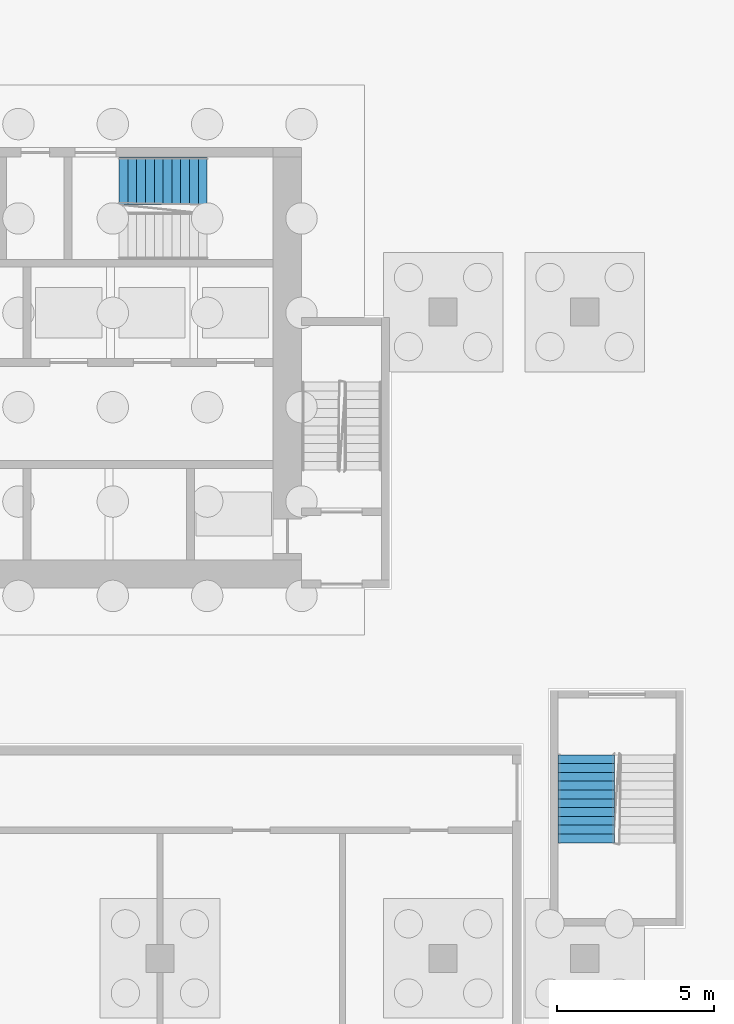
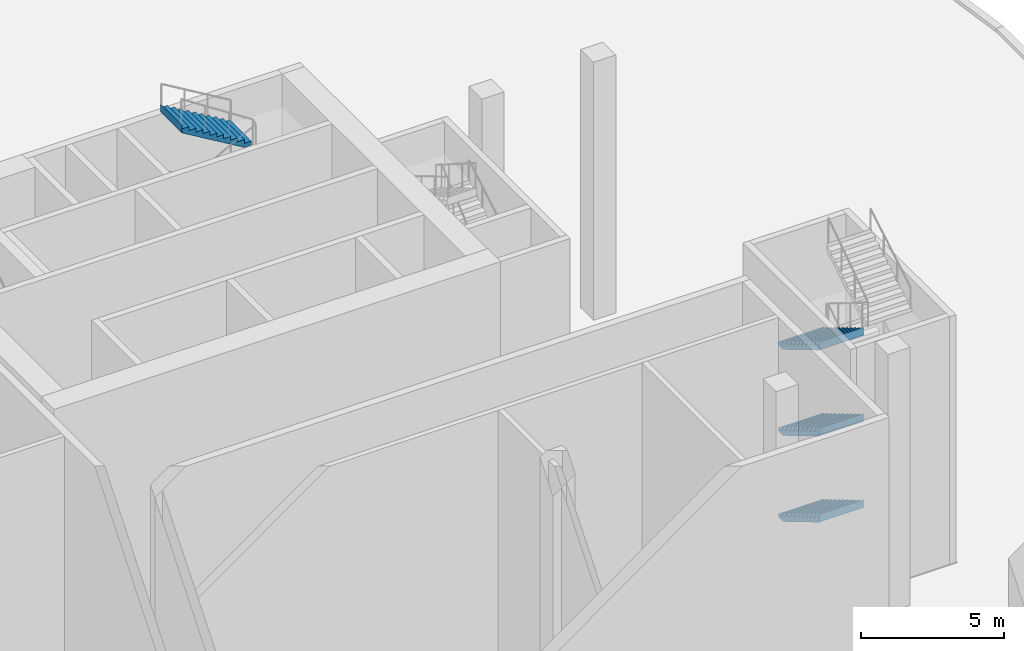
# One storey, part 20 of 26: 4 stair flights, 2 elements without a shape of their own.
"""IFC4 building model written with IfcOpenShell, lengths in metres."""

from ifc_helpers import new_model, si_unit, direction, frame, origin, place, context, subcontext, project, spatial, faceted_brep, material, type_object, element, aggregate, save


model = new_model("IFC4")

# Units and contexts
model_context = context("Model", 3, precision=1e-05, world=origin(), true_north=direction((0.0, 1.0)))
body_context = subcontext(model_context, "Body", "Model", "MODEL_VIEW")
ifc_project = project(units=[si_unit("LENGTHUNIT", "METRE"), si_unit("AREAUNIT", "SQUARE_METRE"), si_unit("VOLUMEUNIT", "CUBIC_METRE"), si_unit("PLANEANGLEUNIT", "RADIAN"), si_unit("MASSUNIT", "GRAM", prefix="KILO")], contexts=[model_context])

# Site, building, storey
site_placement = place(None, origin())
site = spatial("IfcSite", under=ifc_project, at=site_placement, CompositionType="ELEMENT")
building_placement = place(site_placement, origin())
building = spatial("IfcBuilding", under=site, at=building_placement, Name="Kajstack Hotel Tower", CompositionType="ELEMENT")
storey_placement = place(building_placement, origin())
storey = spatial("IfcBuildingStorey", under=building, at=storey_placement, Name="L00", CompositionType="ELEMENT", Elevation=0.0)

# Stair, stair flights
ifc_material = material(Name="Concrete C40/50", Category="concrete")
stair_type_1 = type_object("IfcStairType", Name="Escape stair 1800", PredefinedType="HALF_TURN_STAIR", material=ifc_material)
stair_1_placement = place(storey_placement, origin())
stair_1 = element("IfcStair", 1, at=stair_1_placement, inside=storey, type_object=stair_type_1, Name="L00 stair P2", PredefinedType="HALF_TURN_STAIR")
stair_flight_type_1 = type_object("IfcStairFlightType", Name="Escape stair flight 1800", PredefinedType="STRAIGHT", material=ifc_material)
stair_flight_1_placement = place(storey_placement, frame((40.550048828125, -3.800048828125, 0.0), z_axis=(0.0, 0.0, 1.0), x_axis=(0.0, -1.0, 0.0)))
stair_flight_1 = element("IfcStairFlight", 2, at=stair_flight_1_placement, type_object=stair_flight_type_1, Name="P2 flight 1", NumberOfRisers=11, NumberOfTreads=10, PredefinedType="STRAIGHT", RiserHeight=0.166666667, TreadLength=0.28, context=body_context, shape_type="Brep", body=[
    faceted_brep([(0.29345703125, -0.89990234375, 0.0), (2.800537109375, -0.89990234375, 1.4921875), (2.800537109375, -0.89990234375, 1.833251953125), (2.800048828125, -0.89990234375, 1.833251953125), (2.800048828125, -0.89990234375, 1.666748046875), (2.52001953125, -0.89990234375, 1.666748046875), (2.52001953125, -0.89990234375, 1.5), (2.239990234375, -0.89990234375, 1.5), (2.239990234375, -0.89990234375, 1.333251953125), (1.9599609375, -0.89990234375, 1.333251953125), (1.9599609375, -0.89990234375, 1.166748046875), (1.679931640625, -0.89990234375, 1.166748046875), (1.679931640625, -0.89990234375, 1.0), (1.39990234375, -0.89990234375, 1.0), (1.39990234375, -0.89990234375, 0.833251953125), (1.1201171875, -0.89990234375, 0.833251953125), (1.1201171875, -0.89990234375, 0.666748046875), (0.840087890625, -0.89990234375, 0.666748046875), (0.840087890625, -0.89990234375, 0.5), (0.56005859375, -0.89990234375, 0.5), (0.56005859375, -0.89990234375, 0.333251953125), (0.280029296875, -0.89990234375, 0.333251953125), (0.280029296875, -0.89990234375, 0.166748046875), (-0.00048828125, -0.89990234375, 0.166748046875), (-0.00048828125, -0.89990234375, 0.0), (-0.00048828125, 0.89990234375, 0.0), (-0.00048828125, 0.89990234375, 0.166748046875), (0.280029296875, 0.89990234375, 0.166748046875), (0.280029296875, 0.89990234375, 0.333251953125), (0.56005859375, 0.89990234375, 0.333251953125), (0.56005859375, 0.89990234375, 0.5), (0.840087890625, 0.89990234375, 0.5), (0.840087890625, 0.89990234375, 0.666748046875), (1.1201171875, 0.89990234375, 0.666748046875), (1.1201171875, 0.89990234375, 0.833251953125), (1.39990234375, 0.89990234375, 0.833251953125), (1.39990234375, 0.89990234375, 1.0), (1.679931640625, 0.89990234375, 1.0), (1.679931640625, 0.89990234375, 1.166748046875), (1.9599609375, 0.89990234375, 1.166748046875), (1.9599609375, 0.89990234375, 1.333251953125), (2.239990234375, 0.89990234375, 1.333251953125), (2.239990234375, 0.89990234375, 1.5), (2.52001953125, 0.89990234375, 1.5), (2.52001953125, 0.89990234375, 1.666748046875), (2.800048828125, 0.89990234375, 1.666748046875), (2.800048828125, 0.89990234375, 1.833251953125), (2.800537109375, 0.89990234375, 1.833251953125), (2.800537109375, 0.89990234375, 1.4921875), (0.29345703125, 0.89990234375, 0.0), (-0.00048828125, -0.449951171875, 0.166748046875), (-0.00048828125, 0.0, 0.166748046875), (-0.00048828125, 0.449951171875, 0.166748046875), (-0.00048828125, 0.449951171875, 0.0), (-0.00048828125, 0.0, 0.0), (-0.00048828125, -0.449951171875, 0.0), (0.280029296875, -0.449951171875, 0.166748046875), (0.280029296875, 0.0, 0.166748046875), (0.280029296875, 0.449951171875, 0.166748046875), (0.280029296875, -0.449951171875, 0.333251953125), (0.280029296875, 0.0, 0.333251953125), (0.280029296875, 0.449951171875, 0.333251953125), (0.56005859375, -0.449951171875, 0.333251953125), (0.56005859375, 0.0, 0.333251953125), (0.56005859375, 0.449951171875, 0.333251953125), (0.56005859375, -0.449951171875, 0.5), (0.56005859375, 0.0, 0.5), (0.56005859375, 0.449951171875, 0.5), (0.840087890625, -0.449951171875, 0.5), (0.840087890625, 0.0, 0.5), (0.840087890625, 0.449951171875, 0.5), (0.840087890625, -0.449951171875, 0.666748046875), (0.840087890625, 0.0, 0.666748046875), (0.840087890625, 0.449951171875, 0.666748046875), (1.1201171875, -0.449951171875, 0.666748046875), (1.1201171875, 0.0, 0.666748046875), (1.1201171875, 0.449951171875, 0.666748046875), (1.1201171875, -0.449951171875, 0.833251953125), (1.1201171875, 0.0, 0.833251953125), (1.1201171875, 0.449951171875, 0.833251953125), (1.39990234375, -0.449951171875, 0.833251953125), (1.39990234375, 0.0, 0.833251953125), (1.39990234375, 0.449951171875, 0.833251953125), (1.39990234375, -0.449951171875, 1.0), (1.39990234375, 0.0, 1.0), (1.39990234375, 0.449951171875, 1.0), (1.679931640625, -0.449951171875, 1.0), (1.679931640625, 0.0, 1.0), (1.679931640625, 0.449951171875, 1.0), (1.679931640625, -0.449951171875, 1.166748046875), (1.679931640625, 0.0, 1.166748046875), (1.679931640625, 0.449951171875, 1.166748046875), (1.9599609375, -0.449951171875, 1.166748046875), (1.9599609375, 0.0, 1.166748046875), (1.9599609375, 0.449951171875, 1.166748046875), (1.9599609375, -0.449951171875, 1.333251953125), (1.9599609375, 0.0, 1.333251953125), (1.9599609375, 0.449951171875, 1.333251953125), (2.239990234375, -0.449951171875, 1.333251953125), (2.239990234375, 0.0, 1.333251953125), (2.239990234375, 0.449951171875, 1.333251953125), (2.239990234375, -0.449951171875, 1.5), (2.239990234375, 0.0, 1.5), (2.239990234375, 0.449951171875, 1.5), (2.52001953125, -0.449951171875, 1.5), (2.52001953125, 0.0, 1.5), (2.52001953125, 0.449951171875, 1.5), (2.52001953125, -0.449951171875, 1.666748046875), (2.52001953125, 0.0, 1.666748046875), (2.52001953125, 0.449951171875, 1.666748046875), (2.800048828125, -0.449951171875, 1.666748046875), (2.800048828125, 0.0, 1.666748046875), (2.800048828125, 0.449951171875, 1.666748046875), (2.800048828125, -0.449951171875, 1.833251953125), (2.800048828125, 0.0, 1.833251953125), (2.800048828125, 0.449951171875, 1.833251953125), (2.800537109375, -0.449951171875, 1.833251953125), (2.800537109375, 0.0, 1.833251953125), (2.800537109375, 0.449951171875, 1.833251953125), (2.800537109375, -0.449951171875, 1.4921875), (2.800537109375, 0.0, 1.4921875), (2.800537109375, 0.449951171875, 1.4921875), (0.29345703125, -0.449951171875, 0.0), (0.29345703125, 0.0, 0.0), (0.29345703125, 0.449951171875, 0.0)], [[[0, 1, 2, 3, 4, 5, 6, 7, 8, 9, 10, 11, 12, 13, 14, 15, 16, 17, 18, 19, 20, 21, 22, 23, 24]], [[25, 26, 27, 28, 29, 30, 31, 32, 33, 34, 35, 36, 37, 38, 39, 40, 41, 42, 43, 44, 45, 46, 47, 48, 49]], [[23, 50, 51, 52, 26, 25, 53, 54, 55, 24]], [[22, 56, 57, 58, 27, 26, 52, 51, 50, 23]], [[21, 59, 60, 61, 28, 27, 58, 57, 56, 22]], [[20, 62, 63, 64, 29, 28, 61, 60, 59, 21]], [[19, 65, 66, 67, 30, 29, 64, 63, 62, 20]], [[18, 68, 69, 70, 31, 30, 67, 66, 65, 19]], [[17, 71, 72, 73, 32, 31, 70, 69, 68, 18]], [[16, 74, 75, 76, 33, 32, 73, 72, 71, 17]], [[15, 77, 78, 79, 34, 33, 76, 75, 74, 16]], [[14, 80, 81, 82, 35, 34, 79, 78, 77, 15]], [[13, 83, 84, 85, 36, 35, 82, 81, 80, 14]], [[12, 86, 87, 88, 37, 36, 85, 84, 83, 13]], [[11, 89, 90, 91, 38, 37, 88, 87, 86, 12]], [[10, 92, 93, 94, 39, 38, 91, 90, 89, 11]], [[9, 95, 96, 97, 40, 39, 94, 93, 92, 10]], [[8, 98, 99, 100, 41, 40, 97, 96, 95, 9]], [[7, 101, 102, 103, 42, 41, 100, 99, 98, 8]], [[6, 104, 105, 106, 43, 42, 103, 102, 101, 7]], [[5, 107, 108, 109, 44, 43, 106, 105, 104, 6]], [[4, 110, 111, 112, 45, 44, 109, 108, 107, 5]], [[3, 113, 114, 115, 46, 45, 112, 111, 110, 4]], [[2, 116, 117, 118, 47, 46, 115, 114, 113, 3]], [[1, 119, 120, 121, 48, 47, 118, 117, 116, 2]], [[0, 122, 123, 124, 49, 48, 121, 120, 119, 1]], [[24, 55, 54, 53, 25, 49, 124, 123, 122, 0]]]),
])
stair_flight_2_placement = place(storey_placement, frame((40.550048828125, -3.800048828125, 3.666748046875), z_axis=(0.0, 0.0, 1.0), x_axis=(0.0, -1.0, 0.0)))
stair_flight_2 = element("IfcStairFlight", 3, at=stair_flight_2_placement, type_object=stair_flight_type_1, Name="P2 flight 3", NumberOfRisers=11, NumberOfTreads=10, PredefinedType="STRAIGHT", RiserHeight=0.166666667, TreadLength=0.28, context=body_context, shape_type="Brep", body=[
    faceted_brep([(0.29345703125, -0.89990234375, 0.0), (2.800537109375, -0.89990234375, 1.4921875), (2.800537109375, -0.89990234375, 1.833251953125), (2.800048828125, -0.89990234375, 1.833251953125), (2.800048828125, -0.89990234375, 1.666748046875), (2.52001953125, -0.89990234375, 1.666748046875), (2.52001953125, -0.89990234375, 1.5), (2.239990234375, -0.89990234375, 1.5), (2.239990234375, -0.89990234375, 1.333251953125), (1.9599609375, -0.89990234375, 1.333251953125), (1.9599609375, -0.89990234375, 1.166748046875), (1.679931640625, -0.89990234375, 1.166748046875), (1.679931640625, -0.89990234375, 1.0), (1.39990234375, -0.89990234375, 1.0), (1.39990234375, -0.89990234375, 0.833251953125), (1.1201171875, -0.89990234375, 0.833251953125), (1.1201171875, -0.89990234375, 0.666748046875), (0.840087890625, -0.89990234375, 0.666748046875), (0.840087890625, -0.89990234375, 0.5), (0.56005859375, -0.89990234375, 0.5), (0.56005859375, -0.89990234375, 0.333251953125), (0.280029296875, -0.89990234375, 0.333251953125), (0.280029296875, -0.89990234375, 0.166748046875), (-0.00048828125, -0.89990234375, 0.166748046875), (-0.00048828125, -0.89990234375, 0.0), (-0.00048828125, 0.89990234375, 0.0), (-0.00048828125, 0.89990234375, 0.166748046875), (0.280029296875, 0.89990234375, 0.166748046875), (0.280029296875, 0.89990234375, 0.333251953125), (0.56005859375, 0.89990234375, 0.333251953125), (0.56005859375, 0.89990234375, 0.5), (0.840087890625, 0.89990234375, 0.5), (0.840087890625, 0.89990234375, 0.666748046875), (1.1201171875, 0.89990234375, 0.666748046875), (1.1201171875, 0.89990234375, 0.833251953125), (1.39990234375, 0.89990234375, 0.833251953125), (1.39990234375, 0.89990234375, 1.0), (1.679931640625, 0.89990234375, 1.0), (1.679931640625, 0.89990234375, 1.166748046875), (1.9599609375, 0.89990234375, 1.166748046875), (1.9599609375, 0.89990234375, 1.333251953125), (2.239990234375, 0.89990234375, 1.333251953125), (2.239990234375, 0.89990234375, 1.5), (2.52001953125, 0.89990234375, 1.5), (2.52001953125, 0.89990234375, 1.666748046875), (2.800048828125, 0.89990234375, 1.666748046875), (2.800048828125, 0.89990234375, 1.833251953125), (2.800537109375, 0.89990234375, 1.833251953125), (2.800537109375, 0.89990234375, 1.4921875), (0.29345703125, 0.89990234375, 0.0), (-0.00048828125, -0.449951171875, 0.166748046875), (-0.00048828125, 0.0, 0.166748046875), (-0.00048828125, 0.449951171875, 0.166748046875), (-0.00048828125, 0.449951171875, 0.0), (-0.00048828125, 0.0, 0.0), (-0.00048828125, -0.449951171875, 0.0), (0.280029296875, -0.449951171875, 0.166748046875), (0.280029296875, 0.0, 0.166748046875), (0.280029296875, 0.449951171875, 0.166748046875), (0.280029296875, -0.449951171875, 0.333251953125), (0.280029296875, 0.0, 0.333251953125), (0.280029296875, 0.449951171875, 0.333251953125), (0.56005859375, -0.449951171875, 0.333251953125), (0.56005859375, 0.0, 0.333251953125), (0.56005859375, 0.449951171875, 0.333251953125), (0.56005859375, -0.449951171875, 0.5), (0.56005859375, 0.0, 0.5), (0.56005859375, 0.449951171875, 0.5), (0.840087890625, -0.449951171875, 0.5), (0.840087890625, 0.0, 0.5), (0.840087890625, 0.449951171875, 0.5), (0.840087890625, -0.449951171875, 0.666748046875), (0.840087890625, 0.0, 0.666748046875), (0.840087890625, 0.449951171875, 0.666748046875), (1.1201171875, -0.449951171875, 0.666748046875), (1.1201171875, 0.0, 0.666748046875), (1.1201171875, 0.449951171875, 0.666748046875), (1.1201171875, -0.449951171875, 0.833251953125), (1.1201171875, 0.0, 0.833251953125), (1.1201171875, 0.449951171875, 0.833251953125), (1.39990234375, -0.449951171875, 0.833251953125), (1.39990234375, 0.0, 0.833251953125), (1.39990234375, 0.449951171875, 0.833251953125), (1.39990234375, -0.449951171875, 1.0), (1.39990234375, 0.0, 1.0), (1.39990234375, 0.449951171875, 1.0), (1.679931640625, -0.449951171875, 1.0), (1.679931640625, 0.0, 1.0), (1.679931640625, 0.449951171875, 1.0), (1.679931640625, -0.449951171875, 1.166748046875), (1.679931640625, 0.0, 1.166748046875), (1.679931640625, 0.449951171875, 1.166748046875), (1.9599609375, -0.449951171875, 1.166748046875), (1.9599609375, 0.0, 1.166748046875), (1.9599609375, 0.449951171875, 1.166748046875), (1.9599609375, -0.449951171875, 1.333251953125), (1.9599609375, 0.0, 1.333251953125), (1.9599609375, 0.449951171875, 1.333251953125), (2.239990234375, -0.449951171875, 1.333251953125), (2.239990234375, 0.0, 1.333251953125), (2.239990234375, 0.449951171875, 1.333251953125), (2.239990234375, -0.449951171875, 1.5), (2.239990234375, 0.0, 1.5), (2.239990234375, 0.449951171875, 1.5), (2.52001953125, -0.449951171875, 1.5), (2.52001953125, 0.0, 1.5), (2.52001953125, 0.449951171875, 1.5), (2.52001953125, -0.449951171875, 1.666748046875), (2.52001953125, 0.0, 1.666748046875), (2.52001953125, 0.449951171875, 1.666748046875), (2.800048828125, -0.449951171875, 1.666748046875), (2.800048828125, 0.0, 1.666748046875), (2.800048828125, 0.449951171875, 1.666748046875), (2.800048828125, -0.449951171875, 1.833251953125), (2.800048828125, 0.0, 1.833251953125), (2.800048828125, 0.449951171875, 1.833251953125), (2.800537109375, -0.449951171875, 1.833251953125), (2.800537109375, 0.0, 1.833251953125), (2.800537109375, 0.449951171875, 1.833251953125), (2.800537109375, -0.449951171875, 1.4921875), (2.800537109375, 0.0, 1.4921875), (2.800537109375, 0.449951171875, 1.4921875), (0.29345703125, -0.449951171875, 0.0), (0.29345703125, 0.0, 0.0), (0.29345703125, 0.449951171875, 0.0)], [[[0, 1, 2, 3, 4, 5, 6, 7, 8, 9, 10, 11, 12, 13, 14, 15, 16, 17, 18, 19, 20, 21, 22, 23, 24]], [[25, 26, 27, 28, 29, 30, 31, 32, 33, 34, 35, 36, 37, 38, 39, 40, 41, 42, 43, 44, 45, 46, 47, 48, 49]], [[23, 50, 51, 52, 26, 25, 53, 54, 55, 24]], [[22, 56, 57, 58, 27, 26, 52, 51, 50, 23]], [[21, 59, 60, 61, 28, 27, 58, 57, 56, 22]], [[20, 62, 63, 64, 29, 28, 61, 60, 59, 21]], [[19, 65, 66, 67, 30, 29, 64, 63, 62, 20]], [[18, 68, 69, 70, 31, 30, 67, 66, 65, 19]], [[17, 71, 72, 73, 32, 31, 70, 69, 68, 18]], [[16, 74, 75, 76, 33, 32, 73, 72, 71, 17]], [[15, 77, 78, 79, 34, 33, 76, 75, 74, 16]], [[14, 80, 81, 82, 35, 34, 79, 78, 77, 15]], [[13, 83, 84, 85, 36, 35, 82, 81, 80, 14]], [[12, 86, 87, 88, 37, 36, 85, 84, 83, 13]], [[11, 89, 90, 91, 38, 37, 88, 87, 86, 12]], [[10, 92, 93, 94, 39, 38, 91, 90, 89, 11]], [[9, 95, 96, 97, 40, 39, 94, 93, 92, 10]], [[8, 98, 99, 100, 41, 40, 97, 96, 95, 9]], [[7, 101, 102, 103, 42, 41, 100, 99, 98, 8]], [[6, 104, 105, 106, 43, 42, 103, 102, 101, 7]], [[5, 107, 108, 109, 44, 43, 106, 105, 104, 6]], [[4, 110, 111, 112, 45, 44, 109, 108, 107, 5]], [[3, 113, 114, 115, 46, 45, 112, 111, 110, 4]], [[2, 116, 117, 118, 47, 46, 115, 114, 113, 3]], [[1, 119, 120, 121, 48, 47, 118, 117, 116, 2]], [[0, 122, 123, 124, 49, 48, 121, 120, 119, 1]], [[24, 55, 54, 53, 25, 49, 124, 123, 122, 0]]]),
])
stair_flight_3_placement = place(storey_placement, frame((40.550048828125, -3.800048828125, 7.333251953125), z_axis=(0.0, 0.0, 1.0), x_axis=(0.0, -1.0, 0.0)))
stair_flight_3 = element("IfcStairFlight", 4, at=stair_flight_3_placement, type_object=stair_flight_type_1, Name="P2 flight 5", NumberOfRisers=11, NumberOfTreads=10, PredefinedType="STRAIGHT", RiserHeight=0.166666667, TreadLength=0.28, context=body_context, shape_type="Brep", body=[
    faceted_brep([(0.29345703125, -0.89990234375, 0.0), (2.800537109375, -0.89990234375, 1.4921875), (2.800537109375, -0.89990234375, 1.833251953125), (2.800048828125, -0.89990234375, 1.833251953125), (2.800048828125, -0.89990234375, 1.666748046875), (2.52001953125, -0.89990234375, 1.666748046875), (2.52001953125, -0.89990234375, 1.5), (2.239990234375, -0.89990234375, 1.5), (2.239990234375, -0.89990234375, 1.333251953125), (1.9599609375, -0.89990234375, 1.333251953125), (1.9599609375, -0.89990234375, 1.166748046875), (1.679931640625, -0.89990234375, 1.166748046875), (1.679931640625, -0.89990234375, 1.0), (1.39990234375, -0.89990234375, 1.0), (1.39990234375, -0.89990234375, 0.833251953125), (1.1201171875, -0.89990234375, 0.833251953125), (1.1201171875, -0.89990234375, 0.666748046875), (0.840087890625, -0.89990234375, 0.666748046875), (0.840087890625, -0.89990234375, 0.5), (0.56005859375, -0.89990234375, 0.5), (0.56005859375, -0.89990234375, 0.333251953125), (0.280029296875, -0.89990234375, 0.333251953125), (0.280029296875, -0.89990234375, 0.166748046875), (-0.00048828125, -0.89990234375, 0.166748046875), (-0.00048828125, -0.89990234375, 0.0), (-0.00048828125, 0.89990234375, 0.0), (-0.00048828125, 0.89990234375, 0.166748046875), (0.280029296875, 0.89990234375, 0.166748046875), (0.280029296875, 0.89990234375, 0.333251953125), (0.56005859375, 0.89990234375, 0.333251953125), (0.56005859375, 0.89990234375, 0.5), (0.840087890625, 0.89990234375, 0.5), (0.840087890625, 0.89990234375, 0.666748046875), (1.1201171875, 0.89990234375, 0.666748046875), (1.1201171875, 0.89990234375, 0.833251953125), (1.39990234375, 0.89990234375, 0.833251953125), (1.39990234375, 0.89990234375, 1.0), (1.679931640625, 0.89990234375, 1.0), (1.679931640625, 0.89990234375, 1.166748046875), (1.9599609375, 0.89990234375, 1.166748046875), (1.9599609375, 0.89990234375, 1.333251953125), (2.239990234375, 0.89990234375, 1.333251953125), (2.239990234375, 0.89990234375, 1.5), (2.52001953125, 0.89990234375, 1.5), (2.52001953125, 0.89990234375, 1.666748046875), (2.800048828125, 0.89990234375, 1.666748046875), (2.800048828125, 0.89990234375, 1.833251953125), (2.800537109375, 0.89990234375, 1.833251953125), (2.800537109375, 0.89990234375, 1.4921875), (0.29345703125, 0.89990234375, 0.0), (-0.00048828125, -0.449951171875, 0.166748046875), (-0.00048828125, 0.0, 0.166748046875), (-0.00048828125, 0.449951171875, 0.166748046875), (-0.00048828125, 0.449951171875, 0.0), (-0.00048828125, 0.0, 0.0), (-0.00048828125, -0.449951171875, 0.0), (0.280029296875, -0.449951171875, 0.166748046875), (0.280029296875, 0.0, 0.166748046875), (0.280029296875, 0.449951171875, 0.166748046875), (0.280029296875, -0.449951171875, 0.333251953125), (0.280029296875, 0.0, 0.333251953125), (0.280029296875, 0.449951171875, 0.333251953125), (0.56005859375, -0.449951171875, 0.333251953125), (0.56005859375, 0.0, 0.333251953125), (0.56005859375, 0.449951171875, 0.333251953125), (0.56005859375, -0.449951171875, 0.5), (0.56005859375, 0.0, 0.5), (0.56005859375, 0.449951171875, 0.5), (0.840087890625, -0.449951171875, 0.5), (0.840087890625, 0.0, 0.5), (0.840087890625, 0.449951171875, 0.5), (0.840087890625, -0.449951171875, 0.666748046875), (0.840087890625, 0.0, 0.666748046875), (0.840087890625, 0.449951171875, 0.666748046875), (1.1201171875, -0.449951171875, 0.666748046875), (1.1201171875, 0.0, 0.666748046875), (1.1201171875, 0.449951171875, 0.666748046875), (1.1201171875, -0.449951171875, 0.833251953125), (1.1201171875, 0.0, 0.833251953125), (1.1201171875, 0.449951171875, 0.833251953125), (1.39990234375, -0.449951171875, 0.833251953125), (1.39990234375, 0.0, 0.833251953125), (1.39990234375, 0.449951171875, 0.833251953125), (1.39990234375, -0.449951171875, 1.0), (1.39990234375, 0.0, 1.0), (1.39990234375, 0.449951171875, 1.0), (1.679931640625, -0.449951171875, 1.0), (1.679931640625, 0.0, 1.0), (1.679931640625, 0.449951171875, 1.0), (1.679931640625, -0.449951171875, 1.166748046875), (1.679931640625, 0.0, 1.166748046875), (1.679931640625, 0.449951171875, 1.166748046875), (1.9599609375, -0.449951171875, 1.166748046875), (1.9599609375, 0.0, 1.166748046875), (1.9599609375, 0.449951171875, 1.166748046875), (1.9599609375, -0.449951171875, 1.333251953125), (1.9599609375, 0.0, 1.333251953125), (1.9599609375, 0.449951171875, 1.333251953125), (2.239990234375, -0.449951171875, 1.333251953125), (2.239990234375, 0.0, 1.333251953125), (2.239990234375, 0.449951171875, 1.333251953125), (2.239990234375, -0.449951171875, 1.5), (2.239990234375, 0.0, 1.5), (2.239990234375, 0.449951171875, 1.5), (2.52001953125, -0.449951171875, 1.5), (2.52001953125, 0.0, 1.5), (2.52001953125, 0.449951171875, 1.5), (2.52001953125, -0.449951171875, 1.666748046875), (2.52001953125, 0.0, 1.666748046875), (2.52001953125, 0.449951171875, 1.666748046875), (2.800048828125, -0.449951171875, 1.666748046875), (2.800048828125, 0.0, 1.666748046875), (2.800048828125, 0.449951171875, 1.666748046875), (2.800048828125, -0.449951171875, 1.833251953125), (2.800048828125, 0.0, 1.833251953125), (2.800048828125, 0.449951171875, 1.833251953125), (2.800537109375, -0.449951171875, 1.833251953125), (2.800537109375, 0.0, 1.833251953125), (2.800537109375, 0.449951171875, 1.833251953125), (2.800537109375, -0.449951171875, 1.4921875), (2.800537109375, 0.0, 1.4921875), (2.800537109375, 0.449951171875, 1.4921875), (0.29345703125, -0.449951171875, 0.0), (0.29345703125, 0.0, 0.0), (0.29345703125, 0.449951171875, 0.0)], [[[0, 1, 2, 3, 4, 5, 6, 7, 8, 9, 10, 11, 12, 13, 14, 15, 16, 17, 18, 19, 20, 21, 22, 23, 24]], [[25, 26, 27, 28, 29, 30, 31, 32, 33, 34, 35, 36, 37, 38, 39, 40, 41, 42, 43, 44, 45, 46, 47, 48, 49]], [[23, 50, 51, 52, 26, 25, 53, 54, 55, 24]], [[22, 56, 57, 58, 27, 26, 52, 51, 50, 23]], [[21, 59, 60, 61, 28, 27, 58, 57, 56, 22]], [[20, 62, 63, 64, 29, 28, 61, 60, 59, 21]], [[19, 65, 66, 67, 30, 29, 64, 63, 62, 20]], [[18, 68, 69, 70, 31, 30, 67, 66, 65, 19]], [[17, 71, 72, 73, 32, 31, 70, 69, 68, 18]], [[16, 74, 75, 76, 33, 32, 73, 72, 71, 17]], [[15, 77, 78, 79, 34, 33, 76, 75, 74, 16]], [[14, 80, 81, 82, 35, 34, 79, 78, 77, 15]], [[13, 83, 84, 85, 36, 35, 82, 81, 80, 14]], [[12, 86, 87, 88, 37, 36, 85, 84, 83, 13]], [[11, 89, 90, 91, 38, 37, 88, 87, 86, 12]], [[10, 92, 93, 94, 39, 38, 91, 90, 89, 11]], [[9, 95, 96, 97, 40, 39, 94, 93, 92, 10]], [[8, 98, 99, 100, 41, 40, 97, 96, 95, 9]], [[7, 101, 102, 103, 42, 41, 100, 99, 98, 8]], [[6, 104, 105, 106, 43, 42, 103, 102, 101, 7]], [[5, 107, 108, 109, 44, 43, 106, 105, 104, 6]], [[4, 110, 111, 112, 45, 44, 109, 108, 107, 5]], [[3, 113, 114, 115, 46, 45, 112, 111, 110, 4]], [[2, 116, 117, 118, 47, 46, 115, 114, 113, 3]], [[1, 119, 120, 121, 48, 47, 118, 117, 116, 2]], [[0, 122, 123, 124, 49, 48, 121, 120, 119, 1]], [[24, 55, 54, 53, 25, 49, 124, 123, 122, 0]]]),
])
aggregate(stair_1, [stair_flight_1, stair_flight_2, stair_flight_3])

# Stair, stair flight
stair_type_2 = type_object("IfcStairType", Name="Exit stair 1500", PredefinedType="HALF_TURN_STAIR", material=ifc_material)
stair_2_placement = place(storey_placement, origin())
stair_2 = element("IfcStair", 5, at=stair_2_placement, inside=storey, type_object=stair_type_2, Name="L00 stair E3", PredefinedType="HALF_TURN_STAIR")
stair_flight_type_2 = type_object("IfcStairFlightType", Name="Exit stair flight 1500", PredefinedType="STRAIGHT", material=ifc_material)
stair_flight_4_placement = place(storey_placement, frame((28.5, 14.449951171875, 9.166748046875), z_axis=(0.0, 0.0, 1.0), x_axis=(-1.0, 0.0, 0.0)))
stair_flight_4 = element("IfcStairFlight", 6, at=stair_flight_4_placement, type_object=stair_flight_type_2, Name="E3 flight 6", NumberOfRisers=11, NumberOfTreads=10, PredefinedType="STRAIGHT", RiserHeight=0.166666667, TreadLength=0.28, context=body_context, shape_type="Brep", body=[
    faceted_brep([(0.29345703125, -0.75, 0.0), (2.800537109375, -0.75, 1.4921875), (2.800537109375, -0.75, 1.833251953125), (2.800048828125, -0.75, 1.833251953125), (2.800048828125, -0.75, 1.666748046875), (2.52001953125, -0.75, 1.666748046875), (2.52001953125, -0.75, 1.5), (2.239990234375, -0.75, 1.5), (2.239990234375, -0.75, 1.333251953125), (1.9599609375, -0.75, 1.333251953125), (1.9599609375, -0.75, 1.166748046875), (1.679931640625, -0.75, 1.166748046875), (1.679931640625, -0.75, 1.0), (1.39990234375, -0.75, 1.0), (1.39990234375, -0.75, 0.833251953125), (1.1201171875, -0.75, 0.833251953125), (1.1201171875, -0.75, 0.666748046875), (0.840087890625, -0.75, 0.666748046875), (0.840087890625, -0.75, 0.5), (0.56005859375, -0.75, 0.5), (0.56005859375, -0.75, 0.333251953125), (0.280029296875, -0.75, 0.333251953125), (0.280029296875, -0.75, 0.166748046875), (-0.00048828125, -0.75, 0.166748046875), (-0.00048828125, -0.75, 0.0), (-0.00048828125, 0.75, 0.0), (-0.00048828125, 0.75, 0.166748046875), (0.280029296875, 0.75, 0.166748046875), (0.280029296875, 0.75, 0.333251953125), (0.56005859375, 0.75, 0.333251953125), (0.56005859375, 0.75, 0.5), (0.840087890625, 0.75, 0.5), (0.840087890625, 0.75, 0.666748046875), (1.1201171875, 0.75, 0.666748046875), (1.1201171875, 0.75, 0.833251953125), (1.39990234375, 0.75, 0.833251953125), (1.39990234375, 0.75, 1.0), (1.679931640625, 0.75, 1.0), (1.679931640625, 0.75, 1.166748046875), (1.9599609375, 0.75, 1.166748046875), (1.9599609375, 0.75, 1.333251953125), (2.239990234375, 0.75, 1.333251953125), (2.239990234375, 0.75, 1.5), (2.52001953125, 0.75, 1.5), (2.52001953125, 0.75, 1.666748046875), (2.800048828125, 0.75, 1.666748046875), (2.800048828125, 0.75, 1.833251953125), (2.800537109375, 0.75, 1.833251953125), (2.800537109375, 0.75, 1.4921875), (0.29345703125, 0.75, 0.0), (-0.00048828125, -0.375, 0.166748046875), (-0.00048828125, 0.0, 0.166748046875), (-0.00048828125, 0.375, 0.166748046875), (-0.00048828125, 0.375, 0.0), (-0.00048828125, 0.0, 0.0), (-0.00048828125, -0.375, 0.0), (0.280029296875, -0.375, 0.166748046875), (0.280029296875, 0.0, 0.166748046875), (0.280029296875, 0.375, 0.166748046875), (0.280029296875, -0.375, 0.333251953125), (0.280029296875, 0.0, 0.333251953125), (0.280029296875, 0.375, 0.333251953125), (0.56005859375, -0.375, 0.333251953125), (0.56005859375, 0.0, 0.333251953125), (0.56005859375, 0.375, 0.333251953125), (0.56005859375, -0.375, 0.5), (0.56005859375, 0.0, 0.5), (0.56005859375, 0.375, 0.5), (0.840087890625, -0.375, 0.5), (0.840087890625, 0.0, 0.5), (0.840087890625, 0.375, 0.5), (0.840087890625, -0.375, 0.666748046875), (0.840087890625, 0.0, 0.666748046875), (0.840087890625, 0.375, 0.666748046875), (1.1201171875, -0.375, 0.666748046875), (1.1201171875, 0.0, 0.666748046875), (1.1201171875, 0.375, 0.666748046875), (1.1201171875, -0.375, 0.833251953125), (1.1201171875, 0.0, 0.833251953125), (1.1201171875, 0.375, 0.833251953125), (1.39990234375, -0.375, 0.833251953125), (1.39990234375, 0.0, 0.833251953125), (1.39990234375, 0.375, 0.833251953125), (1.39990234375, -0.375, 1.0), (1.39990234375, 0.0, 1.0), (1.39990234375, 0.375, 1.0), (1.679931640625, -0.375, 1.0), (1.679931640625, 0.0, 1.0), (1.679931640625, 0.375, 1.0), (1.679931640625, -0.375, 1.166748046875), (1.679931640625, 0.0, 1.166748046875), (1.679931640625, 0.375, 1.166748046875), (1.9599609375, -0.375, 1.166748046875), (1.9599609375, 0.0, 1.166748046875), (1.9599609375, 0.375, 1.166748046875), (1.9599609375, -0.375, 1.333251953125), (1.9599609375, 0.0, 1.333251953125), (1.9599609375, 0.375, 1.333251953125), (2.239990234375, -0.375, 1.333251953125), (2.239990234375, 0.0, 1.333251953125), (2.239990234375, 0.375, 1.333251953125), (2.239990234375, -0.375, 1.5), (2.239990234375, 0.0, 1.5), (2.239990234375, 0.375, 1.5), (2.52001953125, -0.375, 1.5), (2.52001953125, 0.0, 1.5), (2.52001953125, 0.375, 1.5), (2.52001953125, -0.375, 1.666748046875), (2.52001953125, 0.0, 1.666748046875), (2.52001953125, 0.375, 1.666748046875), (2.800048828125, -0.375, 1.666748046875), (2.800048828125, 0.0, 1.666748046875), (2.800048828125, 0.375, 1.666748046875), (2.800048828125, -0.375, 1.833251953125), (2.800048828125, 0.0, 1.833251953125), (2.800048828125, 0.375, 1.833251953125), (2.800537109375, -0.375, 1.833251953125), (2.800537109375, 0.0, 1.833251953125), (2.800537109375, 0.375, 1.833251953125), (2.800537109375, -0.375, 1.4921875), (2.800537109375, 0.0, 1.4921875), (2.800537109375, 0.375, 1.4921875), (0.29345703125, -0.375, 0.0), (0.29345703125, 0.0, 0.0), (0.29345703125, 0.375, 0.0)], [[[0, 1, 2, 3, 4, 5, 6, 7, 8, 9, 10, 11, 12, 13, 14, 15, 16, 17, 18, 19, 20, 21, 22, 23, 24]], [[25, 26, 27, 28, 29, 30, 31, 32, 33, 34, 35, 36, 37, 38, 39, 40, 41, 42, 43, 44, 45, 46, 47, 48, 49]], [[23, 50, 51, 52, 26, 25, 53, 54, 55, 24]], [[22, 56, 57, 58, 27, 26, 52, 51, 50, 23]], [[21, 59, 60, 61, 28, 27, 58, 57, 56, 22]], [[20, 62, 63, 64, 29, 28, 61, 60, 59, 21]], [[19, 65, 66, 67, 30, 29, 64, 63, 62, 20]], [[18, 68, 69, 70, 31, 30, 67, 66, 65, 19]], [[17, 71, 72, 73, 32, 31, 70, 69, 68, 18]], [[16, 74, 75, 76, 33, 32, 73, 72, 71, 17]], [[15, 77, 78, 79, 34, 33, 76, 75, 74, 16]], [[14, 80, 81, 82, 35, 34, 79, 78, 77, 15]], [[13, 83, 84, 85, 36, 35, 82, 81, 80, 14]], [[12, 86, 87, 88, 37, 36, 85, 84, 83, 13]], [[11, 89, 90, 91, 38, 37, 88, 87, 86, 12]], [[10, 92, 93, 94, 39, 38, 91, 90, 89, 11]], [[9, 95, 96, 97, 40, 39, 94, 93, 92, 10]], [[8, 98, 99, 100, 41, 40, 97, 96, 95, 9]], [[7, 101, 102, 103, 42, 41, 100, 99, 98, 8]], [[6, 104, 105, 106, 43, 42, 103, 102, 101, 7]], [[5, 107, 108, 109, 44, 43, 106, 105, 104, 6]], [[4, 110, 111, 112, 45, 44, 109, 108, 107, 5]], [[3, 113, 114, 115, 46, 45, 112, 111, 110, 4]], [[2, 116, 117, 118, 47, 46, 115, 114, 113, 3]], [[1, 119, 120, 121, 48, 47, 118, 117, 116, 2]], [[0, 122, 123, 124, 49, 48, 121, 120, 119, 1]], [[24, 55, 54, 53, 25, 49, 124, 123, 122, 0]]]),
])
aggregate(stair_2, [stair_flight_4])

save(model, "model.ifc")
